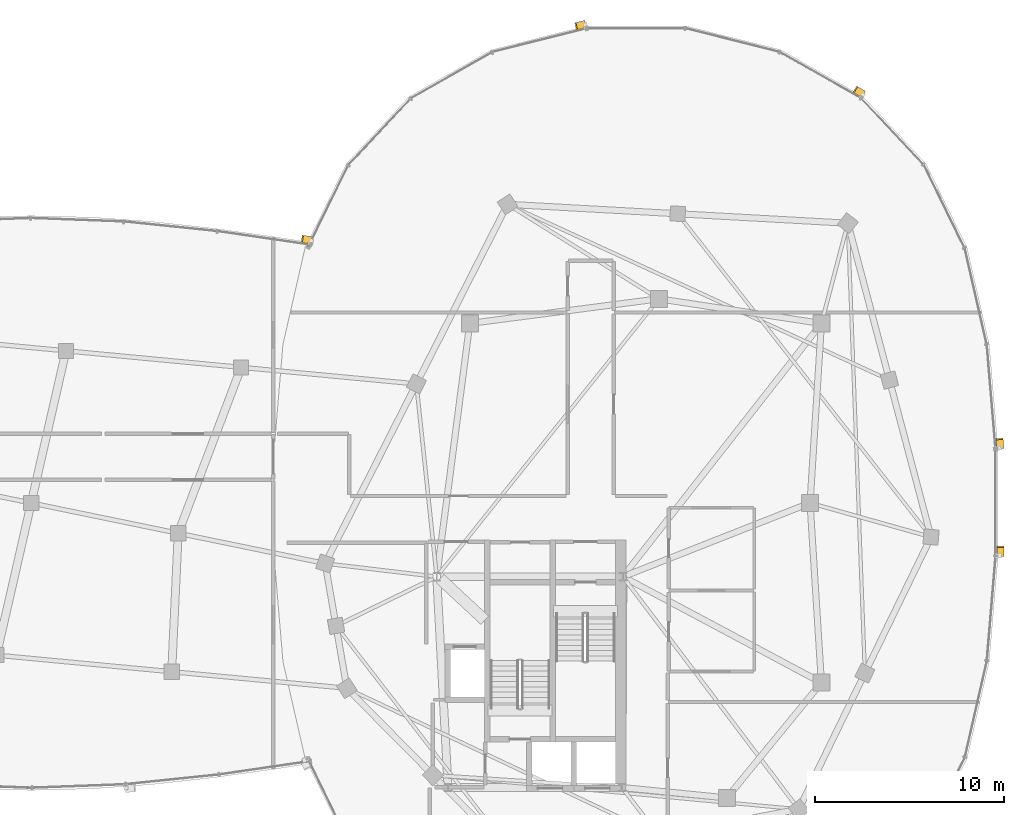
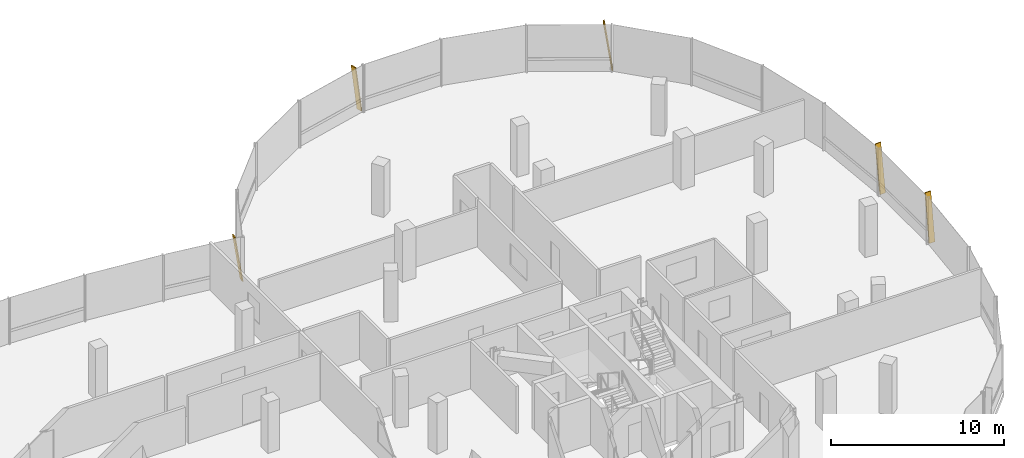
# One storey, part 25 of 25: 5 shading devices.
"""IFC4 building model written with IfcOpenShell, lengths in metres."""

from ifc_helpers import new_model, si_unit, direction, frame, origin, origin_2d, place, context, subcontext, project, spatial, rectangle, extrude, material, material_profile, profile_set, type_object, element, save


model = new_model("IFC4")

# Units and contexts
model_context = context("Model", 3, precision=1e-05, world=origin(), true_north=direction((0.0, 1.0)))
body_context = subcontext(model_context, "Body", "Model", "MODEL_VIEW")
ifc_project = project(units=[si_unit("LENGTHUNIT", "METRE"), si_unit("AREAUNIT", "SQUARE_METRE"), si_unit("VOLUMEUNIT", "CUBIC_METRE"), si_unit("PLANEANGLEUNIT", "RADIAN"), si_unit("MASSUNIT", "GRAM", prefix="KILO"), si_unit("THERMODYNAMICTEMPERATUREUNIT", "KELVIN"), si_unit("POWERUNIT", "WATT")], contexts=[model_context])

# Site, building, storey
site_placement = place(None, origin())
site = spatial("IfcSite", under=ifc_project, at=site_placement, CompositionType="ELEMENT")
building_placement = place(site_placement, origin())
building = spatial("IfcBuilding", under=site, at=building_placement, Name="Cundina Bronze Exchange", CompositionType="ELEMENT")
storey_placement = place(building_placement, frame((0.0, 0.0, 257.60009765625)))
storey = spatial("IfcBuildingStorey", under=building, at=storey_placement, Name="L68", CompositionType="ELEMENT", Elevation=257.60009765625)

# Shading devices
ifc_material = material(Name="Anodised Bronze Aluminium 6063-T6", Category="aluminium")
ifc_material_profile = material_profile(ifc_material, rectangle(XDim=0.070068359375, YDim=0.3798828125, at=origin_2d()), Name="FIN70X380", Category="aluminium")
ifc_profile_set = profile_set([ifc_material_profile], Name="Anodised Bronze Aluminium 6063-T6")
shading_device_type = type_object("IfcShadingDeviceType", Name="SHD-FIN-BRZ380", PredefinedType="USERDEFINED", material=ifc_profile_set)
for number, where, z_axis, x_axis, name in (
    (1, (51.26416015625, 2.90625, 0.02001953125), (-0.012007425696, 0.143430164259, 0.989587595774), (0.082555708425, -0.986138004904, 0.143931894628), "L68 Diagonal Bronze Solar Fin 1"),
    (2, (44.0126953125, 21.63720703125, 0.02001953125), (-0.125198584402, 0.071092295587, 0.989581325598), (0.86052566695, -0.48863767404, 0.143974997927), "L68 Diagonal Bronze Solar Fin 5"),
    (3, (29.290771484375, 25.343505859375, 0.02001953125), (-0.139622006633, -0.035143452115, 0.989581039146), (0.959648570899, 0.241547621411, 0.143976966779), "L68 Diagonal Bronze Solar Fin 1"),
    (4, (51.26904296875, -2.79150390625, 0.02001953125), (0.0, 0.143942452949, 0.989586060047), (0.0, -0.989586060047, 0.143942452949), "L68 Diagonal Bronze Solar Fin 5"),
):
    element("IfcShadingDevice", number, at=place(storey_placement, frame(where, z_axis=z_axis, x_axis=x_axis)), inside=storey, type_object=shading_device_type, Name=name, ObjectType="FIN", PredefinedType="USERDEFINED", context=body_context, shape_type="SweptSolid", body=[
        extrude(rectangle(XDim=0.070068359375, YDim=0.3798828125, at=origin_2d()), origin(), (0.0, 0.0, 1.0), 3.33447265625),
    ])
shading_device_placement = place(storey_placement, frame((14.8154296875, 13.90625, 0.02001953125), z_axis=(-0.145051508968, 0.021168873868, 0.989197623595), x_axis=(0.978828704224, -0.142850643371, 0.1465880673)))
element("IfcShadingDevice", 5, at=shading_device_placement, inside=storey, type_object=shading_device_type, Name="L68 Diagonal Bronze Solar Fin 1", ObjectType="FIN", PredefinedType="USERDEFINED", context=body_context, shape_type="SweptSolid", body=[
    extrude(rectangle(XDim=0.070068359375, YDim=0.3798828125, at=origin_2d()), origin(), (0.0, 0.0, 1.0), 3.275390625),
])

save(model, "model.ifc")
